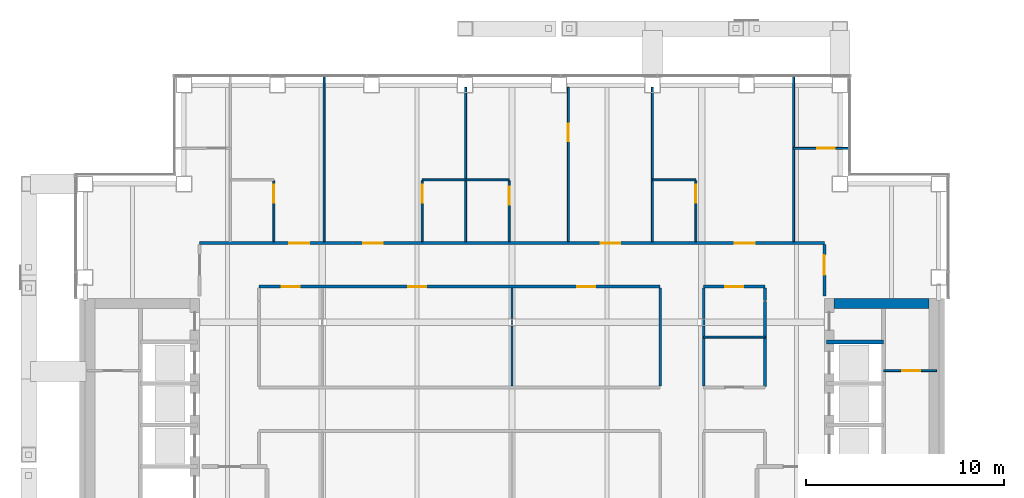
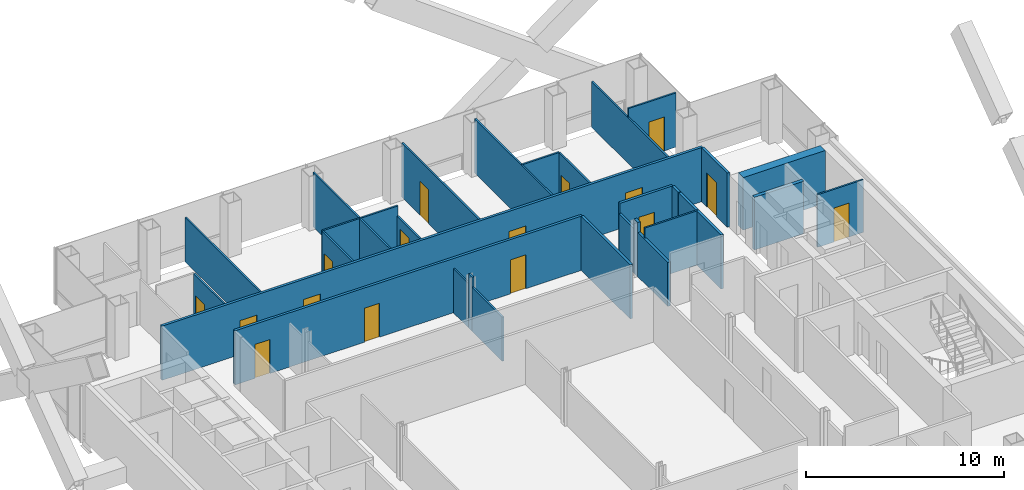
# One storey, part 13 of 16: 30 walls, 16 doors, 16 openings.
"""IFC4 building model written with IfcOpenShell, lengths in metres."""

from ifc_helpers import new_model, si_unit, direction, frame, frame_2d, origin, place, context, subcontext, project, spatial, rectangle, extrude, material, layer, layer_set, type_object, element, fill, save


model = new_model("IFC4")

# Units and contexts
model_context = context("Model", 3, precision=1e-05, world=origin(), true_north=direction((0.0, 1.0)))
body_context = subcontext(model_context, "Body", "Model", "MODEL_VIEW")
ifc_project = project(units=[si_unit("LENGTHUNIT", "METRE"), si_unit("AREAUNIT", "SQUARE_METRE"), si_unit("VOLUMEUNIT", "CUBIC_METRE"), si_unit("PLANEANGLEUNIT", "RADIAN"), si_unit("MASSUNIT", "GRAM", prefix="KILO")], contexts=[model_context])

# Site, building, storey
site_placement = place(None, origin())
site = spatial("IfcSite", under=ifc_project, at=site_placement, CompositionType="ELEMENT")
building_placement = place(site_placement, origin())
building = spatial("IfcBuilding", under=site, at=building_placement, Name="Cobrizo Arcos Hotel Tower", CompositionType="ELEMENT")
storey_placement = place(building_placement, frame((0.0, 0.0, 172.5)))
storey = spatial("IfcBuildingStorey", under=building, at=storey_placement, Name="L44", CompositionType="ELEMENT", Elevation=172.5)

# Wall, openings, doors
ifc_material_1 = material(Name="Gypsum board partition")
ifc_layer_1 = layer(ifc_material_1, 0.14990234375)
ifc_layer_set_1 = layer_set([ifc_layer_1], Name="Corridor wall EI 60 150")
wall_type_1 = type_object("IfcWallType", Name="Corridor wall EI 60 150", PredefinedType="PARTITIONING", material=ifc_layer_set_1)
wall_1_placement = place(storey_placement, frame((-12.800048828125, 11.39990234375, 0.0), z_axis=(0.0, 0.0, 1.0), x_axis=(1.0, 0.0, 0.0)))
wall_1 = element("IfcWall", 1, at=wall_1_placement, inside=storey, type_object=wall_type_1, Name="Partition 035", PredefinedType="PARTITIONING", context=body_context, shape_type="SweptSolid", body=[
    extrude(rectangle(XDim=20.300048828125, YDim=0.14990234375, at=frame_2d((10.14990234375, 0.0))), origin(), (0.0, 0.0, 1.0), 3.35009765625),
])
opening_1_placement = place(wall_1_placement, frame((1.14990234375, 0.0, 0.0)))
opening_1 = element("IfcOpeningElement", 2, at=opening_1_placement, cuts=wall_1, Name="Opening RD-09", PredefinedType="OPENING", context=body_context, shape_type="SweptSolid", body=[
    extrude(rectangle(XDim=0.89990234375, YDim=2.10009765625, at=frame_2d((0.449951171875, 1.050048828125))), frame((0.0, 0.0869140625, 0.0), z_axis=(0.0, -1.0, 0.0), x_axis=(1.0, 0.0, 0.0)), (0.0, 0.0, 1.0), 0.173828125),
])
opening_2_placement = place(wall_1_placement, frame((16.10009765625, 0.0, 0.0)))
opening_2 = element("IfcOpeningElement", 3, at=opening_2_placement, cuts=wall_1, Name="Opening RD-10", PredefinedType="OPENING", context=body_context, shape_type="SweptSolid", body=[
    extrude(rectangle(XDim=0.89990234375, YDim=2.10009765625, at=frame_2d((0.449951171875, 1.050048828125))), frame((0.0, 0.0869140625, 0.0), z_axis=(0.0, -1.0, 0.0), x_axis=(1.0, 0.0, 0.0)), (0.0, 0.0, 1.0), 0.173828125),
])
opening_3_placement = place(wall_1_placement, frame((7.550048828125, 0.0, 0.0)))
opening_3 = element("IfcOpeningElement", 4, at=opening_3_placement, cuts=wall_1, Name="Opening RD-13", PredefinedType="OPENING", context=body_context, shape_type="SweptSolid", body=[
    extrude(rectangle(XDim=0.89990234375, YDim=2.10009765625, at=frame_2d((0.449951171875, 1.050048828125))), frame((0.0, 0.0869140625, 0.0), z_axis=(0.0, -1.0, 0.0), x_axis=(1.0, 0.0, 0.0)), (0.0, 0.0, 1.0), 0.173828125),
])
ifc_material_2 = material(Name="Timber door leaf", Category="wood")
door_type_1 = type_object("IfcDoorType", Name="Room door FD30 900x2100", OperationType="SINGLE_SWING_LEFT", PredefinedType="DOOR", material=ifc_material_2)
door_1_placement = place(opening_1_placement, origin())
door_1 = element("IfcDoor", 5, at=door_1_placement, inside=storey, type_object=door_type_1, Name="Door RD-09", OperationType="SINGLE_SWING_RIGHT", OverallHeight=2.10009765625, OverallWidth=0.89990234375, PredefinedType="DOOR", context=body_context, shape_type="SweptSolid", body=[
    extrude(rectangle(XDim=0.89990234375, YDim=2.10009765625, at=frame_2d((0.449951171875, 1.050048828125))), frame((0.0, 0.02490234375, 0.0), z_axis=(0.0, -1.0, 0.0), x_axis=(1.0, 0.0, 0.0)), (0.0, 0.0, 1.0), 0.050048828125),
])
fill(opening_1, door_1)
door_2_placement = place(opening_2_placement, origin())
door_2 = element("IfcDoor", 6, at=door_2_placement, inside=storey, type_object=door_type_1, Name="Door RD-10", OperationType="SINGLE_SWING_RIGHT", OverallHeight=2.10009765625, OverallWidth=0.89990234375, PredefinedType="DOOR", context=body_context, shape_type="SweptSolid", body=[
    extrude(rectangle(XDim=0.89990234375, YDim=2.10009765625, at=frame_2d((0.449951171875, 1.050048828125))), frame((0.0, 0.02490234375, 0.0), z_axis=(0.0, -1.0, 0.0), x_axis=(1.0, 0.0, 0.0)), (0.0, 0.0, 1.0), 0.050048828125),
])
fill(opening_2, door_2)
door_3_placement = place(opening_3_placement, origin())
door_3 = element("IfcDoor", 7, at=door_3_placement, inside=storey, type_object=door_type_1, Name="Door RD-13", OperationType="SINGLE_SWING_RIGHT", OverallHeight=2.10009765625, OverallWidth=0.89990234375, PredefinedType="DOOR", context=body_context, shape_type="SweptSolid", body=[
    extrude(rectangle(XDim=0.89990234375, YDim=2.10009765625, at=frame_2d((0.449951171875, 1.050048828125))), frame((0.0, 0.02490234375, 0.0), z_axis=(0.0, -1.0, 0.0), x_axis=(1.0, 0.0, 0.0)), (0.0, 0.0, 1.0), 0.050048828125),
])
fill(opening_3, door_3)

# Wall, opening, door
wall_2_placement = place(storey_placement, frame((9.699951171875, 11.39990234375, 0.0), z_axis=(0.0, 0.0, 1.0), x_axis=(1.0, 0.0, 0.0)))
wall_2 = element("IfcWall", 8, at=wall_2_placement, inside=storey, type_object=wall_type_1, Name="Partition 036", PredefinedType="PARTITIONING", context=body_context, shape_type="SweptSolid", body=[
    extrude(rectangle(XDim=3.10009765625, YDim=0.14990234375, at=frame_2d((1.550048828125, 0.0))), origin(), (0.0, 0.0, 1.0), 3.35009765625),
])
opening_4_placement = place(wall_2_placement, frame((1.10009765625, 0.0, 0.0)))
opening_4 = element("IfcOpeningElement", 9, at=opening_4_placement, cuts=wall_2, Name="Opening ED-14", PredefinedType="OPENING", context=body_context, shape_type="SweptSolid", body=[
    extrude(rectangle(XDim=0.89990234375, YDim=2.10009765625, at=frame_2d((0.449951171875, 1.050048828125))), frame((0.0, 0.0869140625, 0.0), z_axis=(0.0, -1.0, 0.0), x_axis=(1.0, 0.0, 0.0)), (0.0, 0.0, 1.0), 0.173828125),
])
door_type_2 = type_object("IfcDoorType", Name="En-suite door 900x2100", OperationType="SINGLE_SWING_LEFT", PredefinedType="DOOR", material=ifc_material_2)
door_4_placement = place(opening_4_placement, origin())
door_4 = element("IfcDoor", 10, at=door_4_placement, inside=storey, type_object=door_type_2, Name="Door ED-14", OperationType="SINGLE_SWING_RIGHT", OverallHeight=2.10009765625, OverallWidth=0.89990234375, PredefinedType="DOOR", context=body_context, shape_type="SweptSolid", body=[
    extrude(rectangle(XDim=0.89990234375, YDim=2.10009765625, at=frame_2d((0.449951171875, 1.050048828125))), frame((0.0, 0.02490234375, 0.0), z_axis=(0.0, -1.0, 0.0), x_axis=(1.0, 0.0, 0.0)), (0.0, 0.0, 1.0), 0.050048828125),
])
fill(opening_4, door_4)

# Wall, openings, doors
wall_3_placement = place(storey_placement, frame((-15.800048828125, 13.60009765625, 0.0), z_axis=(0.0, 0.0, 1.0), x_axis=(1.0, 0.0, 0.0)))
wall_3 = element("IfcWall", 11, at=wall_3_placement, inside=storey, type_object=wall_type_1, Name="Partition 037", PredefinedType="PARTITIONING", context=body_context, shape_type="SweptSolid", body=[
    extrude(rectangle(XDim=31.60009765625, YDim=0.14990234375, at=frame_2d((15.800048828125, 0.0))), origin(), (0.0, 0.0, 1.0), 3.35009765625),
])
opening_5_placement = place(wall_3_placement, frame((4.54296875, 0.0, 0.0)))
opening_5 = element("IfcOpeningElement", 12, at=opening_5_placement, cuts=wall_3, Name="Opening GD-01", PredefinedType="OPENING", context=body_context, shape_type="SweptSolid", body=[
    extrude(rectangle(XDim=1.0, YDim=2.10009765625, at=frame_2d((0.5, 1.050048828125))), frame((0.0, 0.0869140625, 0.0), z_axis=(0.0, -1.0, 0.0), x_axis=(1.0, 0.0, 0.0)), (0.0, 0.0, 1.0), 0.173828125),
])
opening_6_placement = place(wall_3_placement, frame((8.27099609375, 0.0, 0.0)))
opening_6 = element("IfcOpeningElement", 13, at=opening_6_placement, cuts=wall_3, Name="Opening GD-02", PredefinedType="OPENING", context=body_context, shape_type="SweptSolid", body=[
    extrude(rectangle(XDim=1.0, YDim=2.10009765625, at=frame_2d((0.5, 1.050048828125))), frame((0.0, 0.0869140625, 0.0), z_axis=(0.0, -1.0, 0.0), x_axis=(1.0, 0.0, 0.0)), (0.0, 0.0, 1.0), 0.173828125),
])
opening_7_placement = place(wall_3_placement, frame((20.280029296875, 0.0, 0.0)))
opening_7 = element("IfcOpeningElement", 14, at=opening_7_placement, cuts=wall_3, Name="Opening GD-03", PredefinedType="OPENING", context=body_context, shape_type="SweptSolid", body=[
    extrude(rectangle(XDim=1.0, YDim=2.10009765625, at=frame_2d((0.5, 1.050048828125))), frame((0.0, 0.0869140625, 0.0), z_axis=(0.0, -1.0, 0.0), x_axis=(1.0, 0.0, 0.0)), (0.0, 0.0, 1.0), 0.173828125),
])
opening_8_placement = place(wall_3_placement, frame((27.072021484375, 0.0, 0.0)))
opening_8 = element("IfcOpeningElement", 15, at=opening_8_placement, cuts=wall_3, Name="Opening GD-04", PredefinedType="OPENING", context=body_context, shape_type="SweptSolid", body=[
    extrude(rectangle(XDim=1.0, YDim=2.10009765625, at=frame_2d((0.5, 1.050048828125))), frame((0.0, 0.0869140625, 0.0), z_axis=(0.0, -1.0, 0.0), x_axis=(1.0, 0.0, 0.0)), (0.0, 0.0, 1.0), 0.173828125),
])
door_type_3 = type_object("IfcDoorType", Name="Guest room door FD30S 1000x2100", OperationType="SINGLE_SWING_LEFT", PredefinedType="DOOR", material=ifc_material_2)
door_5_placement = place(opening_5_placement, origin())
door_5 = element("IfcDoor", 16, at=door_5_placement, inside=storey, type_object=door_type_3, Name="Door GD-01", OperationType="SINGLE_SWING_RIGHT", OverallHeight=2.10009765625, OverallWidth=1.0, PredefinedType="DOOR", context=body_context, shape_type="SweptSolid", body=[
    extrude(rectangle(XDim=1.0, YDim=2.10009765625, at=frame_2d((0.5, 1.050048828125))), frame((0.0, 0.02490234375, 0.0), z_axis=(0.0, -1.0, 0.0), x_axis=(1.0, 0.0, 0.0)), (0.0, 0.0, 1.0), 0.050048828125),
])
fill(opening_5, door_5)
door_6_placement = place(opening_6_placement, origin())
door_6 = element("IfcDoor", 17, at=door_6_placement, inside=storey, type_object=door_type_3, Name="Door GD-02", OperationType="SINGLE_SWING_RIGHT", OverallHeight=2.10009765625, OverallWidth=1.0, PredefinedType="DOOR", context=body_context, shape_type="SweptSolid", body=[
    extrude(rectangle(XDim=1.0, YDim=2.10009765625, at=frame_2d((0.5, 1.050048828125))), frame((0.0, 0.02490234375, 0.0), z_axis=(0.0, -1.0, 0.0), x_axis=(1.0, 0.0, 0.0)), (0.0, 0.0, 1.0), 0.050048828125),
])
fill(opening_6, door_6)
door_7_placement = place(opening_7_placement, origin())
door_7 = element("IfcDoor", 18, at=door_7_placement, inside=storey, type_object=door_type_3, Name="Door GD-03", OperationType="SINGLE_SWING_RIGHT", OverallHeight=2.10009765625, OverallWidth=1.0, PredefinedType="DOOR", context=body_context, shape_type="SweptSolid", body=[
    extrude(rectangle(XDim=1.0, YDim=2.10009765625, at=frame_2d((0.5, 1.050048828125))), frame((0.0, 0.02490234375, 0.0), z_axis=(0.0, -1.0, 0.0), x_axis=(1.0, 0.0, 0.0)), (0.0, 0.0, 1.0), 0.050048828125),
])
fill(opening_7, door_7)
door_8_placement = place(opening_8_placement, origin())
door_8 = element("IfcDoor", 19, at=door_8_placement, inside=storey, type_object=door_type_3, Name="Door GD-04", OperationType="SINGLE_SWING_RIGHT", OverallHeight=2.10009765625, OverallWidth=1.0, PredefinedType="DOOR", context=body_context, shape_type="SweptSolid", body=[
    extrude(rectangle(XDim=1.0, YDim=2.10009765625, at=frame_2d((0.5, 1.050048828125))), frame((0.0, 0.02490234375, 0.0), z_axis=(0.0, -1.0, 0.0), x_axis=(1.0, 0.0, 0.0)), (0.0, 0.0, 1.0), 0.050048828125),
])
fill(opening_8, door_8)

# Walls
wall_4_placement = place(storey_placement, frame((7.5, 6.375, 0.0), z_axis=(0.0, 0.0, 1.0), x_axis=(0.0, 1.0, 0.0)))
element("IfcWall", 20, at=wall_4_placement, inside=storey, type_object=wall_type_1, Name="Partition 087", PredefinedType="PARTITIONING", context=body_context, shape_type="SweptSolid", body=[
    extrude(rectangle(XDim=4.949951171875, YDim=0.14990234375, at=frame_2d((2.47509765625, 0.0))), origin(), (0.0, 0.0, 1.0), 3.35009765625),
])
wall_5_placement = place(storey_placement, frame((9.699951171875, 6.375, 0.0), z_axis=(0.0, 0.0, 1.0), x_axis=(0.0, 1.0, 0.0)))
element("IfcWall", 21, at=wall_5_placement, inside=storey, type_object=wall_type_1, Name="Partition 094", PredefinedType="PARTITIONING", context=body_context, shape_type="SweptSolid", body=[
    extrude(rectangle(XDim=3.0380859375, YDim=0.14990234375, at=frame_2d((1.51904296875, 0.0))), origin(), (0.0, 0.0, 1.0), 2.72802734375),
])
wall_6_placement = place(storey_placement, frame((9.699951171875, 9.4130859375, 0.0), z_axis=(0.0, 0.0, 1.0), x_axis=(0.0, 1.0, 0.0)))
element("IfcWall", 22, at=wall_6_placement, inside=storey, type_object=wall_type_1, Name="Partition 095", PredefinedType="PARTITIONING", context=body_context, shape_type="SweptSolid", body=[
    extrude(rectangle(XDim=0.3740234375, YDim=0.14990234375, at=frame_2d((0.18701171875, 0.0))), origin(), (0.0, 0.0, 1.0), 3.35009765625),
])
wall_7_placement = place(storey_placement, frame((9.699951171875, 9.787109375, 0.0), z_axis=(0.0, 0.0, 1.0), x_axis=(0.0, 1.0, 0.0)))
element("IfcWall", 23, at=wall_7_placement, inside=storey, type_object=wall_type_1, Name="Partition 096", PredefinedType="PARTITIONING", context=body_context, shape_type="SweptSolid", body=[
    extrude(rectangle(XDim=1.537841796875, YDim=0.14990234375, at=frame_2d((0.76904296875, 0.0))), origin(), (0.0, 0.0, 1.0), 2.72802734375),
])
wall_8_placement = place(storey_placement, frame((12.800048828125, 6.35009765625, 0.0), z_axis=(0.0, 0.0, 1.0), x_axis=(0.0, 1.0, 0.0)))
element("IfcWall", 24, at=wall_8_placement, inside=storey, type_object=wall_type_1, Name="Partition 101", PredefinedType="PARTITIONING", context=body_context, shape_type="SweptSolid", body=[
    extrude(rectangle(XDim=4.2998046875, YDim=0.14990234375, at=frame_2d((2.14990234375, 0.0))), origin(), (0.0, 0.0, 1.0), 3.35009765625),
])
wall_9_placement = place(storey_placement, frame((12.800048828125, 10.699951171875, 0.0), z_axis=(0.0, 0.0, 1.0), x_axis=(0.0, 1.0, 0.0)))
element("IfcWall", 25, at=wall_9_placement, inside=storey, type_object=wall_type_1, Name="Partition 102", PredefinedType="PARTITIONING", context=body_context, shape_type="SweptSolid", body=[
    extrude(rectangle(XDim=0.625, YDim=0.14990234375, at=frame_2d((0.3125, 0.0))), origin(), (0.0, 0.0, 1.0), 3.35009765625),
])

# Wall, opening, door
wall_10_placement = place(storey_placement, frame((15.800048828125, 10.919921875, 0.0), z_axis=(0.0, 0.0, 1.0), x_axis=(0.0, 1.0, 0.0)))
wall_10 = element("IfcWall", 26, at=wall_10_placement, inside=storey, type_object=wall_type_1, Name="Partition 106", PredefinedType="PARTITIONING", context=body_context, shape_type="SweptSolid", body=[
    extrude(rectangle(XDim=2.60498046875, YDim=0.14990234375, at=frame_2d((1.302490234375, 0.0))), origin(), (0.0, 0.0, 1.0), 3.35009765625),
])
opening_9_placement = place(wall_10_placement, frame((1.080078125, 0.0, 0.0)))
opening_9 = element("IfcOpeningElement", 27, at=opening_9_placement, cuts=wall_10, Name="Opening GD-12", PredefinedType="OPENING", context=body_context, shape_type="SweptSolid", body=[
    extrude(rectangle(XDim=1.0, YDim=2.10009765625, at=frame_2d((0.5, 1.050048828125))), frame((0.0, 0.0869140625, 0.0), z_axis=(0.0, -1.0, 0.0), x_axis=(1.0, 0.0, 0.0)), (0.0, 0.0, 1.0), 0.173828125),
])
door_9_placement = place(opening_9_placement, origin())
door_9 = element("IfcDoor", 28, at=door_9_placement, inside=storey, type_object=door_type_3, Name="Door GD-12", OperationType="SINGLE_SWING_RIGHT", OverallHeight=2.10009765625, OverallWidth=1.0, PredefinedType="DOOR", context=body_context, shape_type="SweptSolid", body=[
    extrude(rectangle(XDim=1.0, YDim=2.10009765625, at=frame_2d((0.5, 1.050048828125))), frame((0.0, 0.02490234375, 0.0), z_axis=(0.0, -1.0, 0.0), x_axis=(1.0, 0.0, 0.0)), (0.0, 0.0, 1.0), 0.050048828125),
])
fill(opening_9, door_9)

ifc_layer_2 = layer(ifc_material_1, 0.10009765625)
ifc_layer_set_2 = layer_set([ifc_layer_2], Name="Partition EI 30 100")
wall_type_2 = type_object("IfcWallType", Name="Partition EI 30 100", PredefinedType="PARTITIONING", material=ifc_layer_set_2)
wall_11_placement = place(storey_placement, frame((18.800048828125, 7.14990234375, 0.0), z_axis=(0.0, 0.0, 1.0), x_axis=(1.0, 0.0, 0.0)))
wall_11 = element("IfcWall", 29, at=wall_11_placement, inside=storey, type_object=wall_type_2, Name="Partition 031", PredefinedType="PARTITIONING", context=body_context, shape_type="SweptSolid", body=[
    extrude(rectangle(XDim=2.679931640625, YDim=0.10009765625, at=frame_2d((1.33984375, 0.0))), origin(), (0.0, 0.0, 1.0), 3.25),
])
opening_10_placement = place(wall_11_placement, frame((0.949951171875, 0.0, 0.0)))
opening_10 = element("IfcOpeningElement", 30, at=opening_10_placement, cuts=wall_11, Name="Opening RD-06", PredefinedType="OPENING", context=body_context, shape_type="SweptSolid", body=[
    extrude(rectangle(XDim=0.89990234375, YDim=2.10009765625, at=frame_2d((0.449951171875, 1.050048828125))), frame((0.0, 0.06201171875, 0.0), z_axis=(0.0, -1.0, 0.0), x_axis=(1.0, 0.0, 0.0)), (0.0, 0.0, 1.0), 0.1240234375),
])
door_10_placement = place(opening_10_placement, origin())
door_10 = element("IfcDoor", 31, at=door_10_placement, inside=storey, type_object=door_type_1, Name="Door RD-06", OperationType="SINGLE_SWING_LEFT", OverallHeight=2.10009765625, OverallWidth=0.89990234375, PredefinedType="DOOR", context=body_context, shape_type="SweptSolid", body=[
    extrude(rectangle(XDim=0.89990234375, YDim=2.10009765625, at=frame_2d((0.449951171875, 1.050048828125))), frame((0.0, 0.02490234375, 0.0), z_axis=(0.0, -1.0, 0.0), x_axis=(1.0, 0.0, 0.0)), (0.0, 0.0, 1.0), 0.050048828125),
])
fill(opening_10, door_10)

# Walls
wall_12_placement = place(storey_placement, frame((9.699951171875, 8.85009765625, 0.0), z_axis=(0.0, 0.0, 1.0), x_axis=(1.0, 0.0, 0.0)))
element("IfcWall", 32, at=wall_12_placement, inside=storey, type_object=wall_type_2, Name="Partition 034", PredefinedType="PARTITIONING", context=body_context, shape_type="SweptSolid", body=[
    extrude(rectangle(XDim=3.10009765625, YDim=0.10009765625, at=frame_2d((1.550048828125, 0.0))), origin(), (0.0, 0.0, 1.0), 3.35009765625),
])
wall_13_placement = place(storey_placement, frame((-4.550048828125, 16.800048828125, 0.0), z_axis=(0.0, 0.0, 1.0), x_axis=(1.0, 0.0, 0.0)))
element("IfcWall", 33, at=wall_13_placement, inside=storey, type_object=wall_type_2, Name="Partition 039", PredefinedType="PARTITIONING", context=body_context, shape_type="SweptSolid", body=[
    extrude(rectangle(XDim=4.400146484375, YDim=0.10009765625, at=frame_2d((2.2001953125, 0.0))), origin(), (0.0, 0.0, 1.0), 3.35009765625),
])
wall_14_placement = place(storey_placement, frame((7.10009765625, 16.800048828125, 0.0), z_axis=(0.0, 0.0, 1.0), x_axis=(1.0, 0.0, 0.0)))
element("IfcWall", 34, at=wall_14_placement, inside=storey, type_object=wall_type_2, Name="Partition 040", PredefinedType="PARTITIONING", context=body_context, shape_type="SweptSolid", body=[
    extrude(rectangle(XDim=2.199951171875, YDim=0.10009765625, at=frame_2d((1.10009765625, 0.0))), origin(), (0.0, 0.0, 1.0), 3.35009765625),
])

# Wall, opening, door
wall_15_placement = place(storey_placement, frame((14.25, 18.39990234375, 0.0), z_axis=(0.0, 0.0, 1.0), x_axis=(1.0, 0.0, 0.0)))
wall_15 = element("IfcWall", 35, at=wall_15_placement, inside=storey, type_object=wall_type_2, Name="Partition 042", PredefinedType="PARTITIONING", context=body_context, shape_type="SweptSolid", body=[
    extrude(rectangle(XDim=2.780029296875, YDim=0.10009765625, at=frame_2d((1.39013671875, 0.0))), origin(), (0.0, 0.0, 1.0), 3.35009765625),
])
opening_11_placement = place(wall_15_placement, frame((1.18896484375, 0.0, 0.0)))
opening_11 = element("IfcOpeningElement", 36, at=opening_11_placement, cuts=wall_15, Name="Opening ED-12", PredefinedType="OPENING", context=body_context, shape_type="SweptSolid", body=[
    extrude(rectangle(XDim=0.89990234375, YDim=2.10009765625, at=frame_2d((0.449951171875, 1.050048828125))), frame((0.0, 0.06201171875, 0.0), z_axis=(0.0, -1.0, 0.0), x_axis=(1.0, 0.0, 0.0)), (0.0, 0.0, 1.0), 0.1240234375),
])
door_11_placement = place(opening_11_placement, origin())
door_11 = element("IfcDoor", 37, at=door_11_placement, inside=storey, type_object=door_type_2, Name="Door ED-12", OperationType="SINGLE_SWING_RIGHT", OverallHeight=2.10009765625, OverallWidth=0.89990234375, PredefinedType="DOOR", context=body_context, shape_type="SweptSolid", body=[
    extrude(rectangle(XDim=0.89990234375, YDim=2.10009765625, at=frame_2d((0.449951171875, 1.050048828125))), frame((0.0, 0.02490234375, 0.0), z_axis=(0.0, -1.0, 0.0), x_axis=(1.0, 0.0, 0.0)), (0.0, 0.0, 1.0), 0.050048828125),
])
fill(opening_11, door_11)

wall_16_placement = place(storey_placement, frame((-12.050048828125, 13.675048828125, 0.0), z_axis=(0.0, 0.0, 1.0), x_axis=(0.0, 1.0, 0.0)))
wall_16 = element("IfcWall", 38, at=wall_16_placement, inside=storey, type_object=wall_type_2, Name="Partition 056", PredefinedType="PARTITIONING", context=body_context, shape_type="SweptSolid", body=[
    extrude(rectangle(XDim=3.074951171875, YDim=0.10009765625, at=frame_2d((1.53759765625, 0.0))), origin(), (0.0, 0.0, 1.0), 3.35009765625),
])
opening_12_placement = place(wall_16_placement, frame((1.970947265625, 0.0, 0.0)))
opening_12 = element("IfcOpeningElement", 39, at=opening_12_placement, cuts=wall_16, Name="Opening ED-01", PredefinedType="OPENING", context=body_context, shape_type="SweptSolid", body=[
    extrude(rectangle(XDim=0.89990234375, YDim=2.10009765625, at=frame_2d((0.449951171875, 1.050048828125))), frame((0.0, 0.06201171875, 0.0), z_axis=(0.0, -1.0, 0.0), x_axis=(1.0, 0.0, 0.0)), (0.0, 0.0, 1.0), 0.1240234375),
])
door_12_placement = place(opening_12_placement, origin())
door_12 = element("IfcDoor", 40, at=door_12_placement, inside=storey, type_object=door_type_2, Name="Door ED-01", OperationType="SINGLE_SWING_RIGHT", OverallHeight=2.10009765625, OverallWidth=0.89990234375, PredefinedType="DOOR", context=body_context, shape_type="SweptSolid", body=[
    extrude(rectangle(XDim=0.89990234375, YDim=2.10009765625, at=frame_2d((0.449951171875, 1.050048828125))), frame((0.0, 0.02490234375, 0.0), z_axis=(0.0, -1.0, 0.0), x_axis=(1.0, 0.0, 0.0)), (0.0, 0.0, 1.0), 0.050048828125),
])
fill(opening_12, door_12)

# Wall
wall_17_placement = place(storey_placement, frame((-9.5, 13.675048828125, 0.0), z_axis=(0.0, 0.0, 1.0), x_axis=(0.0, 1.0, 0.0)))
element("IfcWall", 41, at=wall_17_placement, inside=storey, type_object=wall_type_2, Name="Partition 066", PredefinedType="PARTITIONING", context=body_context, shape_type="SweptSolid", body=[
    extrude(rectangle(XDim=8.35498046875, YDim=0.10009765625, at=frame_2d((4.177490234375, 0.0))), origin(), (0.0, 0.0, 1.0), 2.72802734375),
])

# Wall, opening, door
wall_18_placement = place(storey_placement, frame((-4.550048828125, 13.675048828125, 0.0), z_axis=(0.0, 0.0, 1.0), x_axis=(0.0, 1.0, 0.0)))
wall_18 = element("IfcWall", 42, at=wall_18_placement, inside=storey, type_object=wall_type_2, Name="Partition 068", PredefinedType="PARTITIONING", context=body_context, shape_type="SweptSolid", body=[
    extrude(rectangle(XDim=3.074951171875, YDim=0.10009765625, at=frame_2d((1.53759765625, 0.0))), origin(), (0.0, 0.0, 1.0), 3.35009765625),
])
opening_13_placement = place(wall_18_placement, frame((1.970947265625, 0.0, 0.0)))
opening_13 = element("IfcOpeningElement", 43, at=opening_13_placement, cuts=wall_18, Name="Opening ED-02", PredefinedType="OPENING", context=body_context, shape_type="SweptSolid", body=[
    extrude(rectangle(XDim=0.89990234375, YDim=2.10009765625, at=frame_2d((0.449951171875, 1.050048828125))), frame((0.0, 0.06201171875, 0.0), z_axis=(0.0, -1.0, 0.0), x_axis=(1.0, 0.0, 0.0)), (0.0, 0.0, 1.0), 0.1240234375),
])
door_13_placement = place(opening_13_placement, origin())
door_13 = element("IfcDoor", 44, at=door_13_placement, inside=storey, type_object=door_type_2, Name="Door ED-02", OperationType="SINGLE_SWING_RIGHT", OverallHeight=2.10009765625, OverallWidth=0.89990234375, PredefinedType="DOOR", context=body_context, shape_type="SweptSolid", body=[
    extrude(rectangle(XDim=0.89990234375, YDim=2.10009765625, at=frame_2d((0.449951171875, 1.050048828125))), frame((0.0, 0.02490234375, 0.0), z_axis=(0.0, -1.0, 0.0), x_axis=(1.0, 0.0, 0.0)), (0.0, 0.0, 1.0), 0.050048828125),
])
fill(opening_13, door_13)

# Walls
wall_19_placement = place(storey_placement, frame((-2.35009765625, 13.675048828125, 0.0), z_axis=(0.0, 0.0, 1.0), x_axis=(0.0, 1.0, 0.0)))
element("IfcWall", 45, at=wall_19_placement, inside=storey, type_object=wall_type_2, Name="Partition 069", PredefinedType="PARTITIONING", context=body_context, shape_type="SweptSolid", body=[
    extrude(rectangle(XDim=3.074951171875, YDim=0.10009765625, at=frame_2d((1.53759765625, 0.0))), origin(), (0.0, 0.0, 1.0), 3.35009765625),
])
wall_20_placement = place(storey_placement, frame((-2.35009765625, 16.85009765625, 0.0), z_axis=(0.0, 0.0, 1.0), x_axis=(0.0, 1.0, 0.0)))
element("IfcWall", 46, at=wall_20_placement, inside=storey, type_object=wall_type_2, Name="Partition 070", PredefinedType="PARTITIONING", context=body_context, shape_type="SweptSolid", body=[
    extrude(rectangle(XDim=4.6298828125, YDim=0.10009765625, at=frame_2d((2.31494140625, 0.0))), origin(), (0.0, 0.0, 1.0), 3.35009765625),
])

# Wall, opening, door
wall_21_placement = place(storey_placement, frame((-0.14990234375, 13.675048828125, 0.0), z_axis=(0.0, 0.0, 1.0), x_axis=(0.0, 1.0, 0.0)))
wall_21 = element("IfcWall", 47, at=wall_21_placement, inside=storey, type_object=wall_type_2, Name="Partition 072", PredefinedType="PARTITIONING", context=body_context, shape_type="SweptSolid", body=[
    extrude(rectangle(XDim=3.074951171875, YDim=0.10009765625, at=frame_2d((1.53759765625, 0.0))), origin(), (0.0, 0.0, 1.0), 2.72802734375),
])
opening_14_placement = place(wall_21_placement, frame((1.875, 0.0, 0.0)))
opening_14 = element("IfcOpeningElement", 48, at=opening_14_placement, cuts=wall_21, Name="Opening ED-03", PredefinedType="OPENING", context=body_context, shape_type="SweptSolid", body=[
    extrude(rectangle(XDim=0.89990234375, YDim=2.10009765625, at=frame_2d((0.449951171875, 1.050048828125))), frame((0.0, 0.06201171875, 0.0), z_axis=(0.0, -1.0, 0.0), x_axis=(1.0, 0.0, 0.0)), (0.0, 0.0, 1.0), 0.1240234375),
])
door_14_placement = place(opening_14_placement, origin())
door_14 = element("IfcDoor", 49, at=door_14_placement, inside=storey, type_object=door_type_2, Name="Door ED-03", OperationType="SINGLE_SWING_LEFT", OverallHeight=2.10009765625, OverallWidth=0.89990234375, PredefinedType="DOOR", context=body_context, shape_type="SweptSolid", body=[
    extrude(rectangle(XDim=0.89990234375, YDim=2.10009765625, at=frame_2d((0.449951171875, 1.050048828125))), frame((0.0, 0.02490234375, 0.0), z_axis=(0.0, -1.0, 0.0), x_axis=(1.0, 0.0, 0.0)), (0.0, 0.0, 1.0), 0.050048828125),
])
fill(opening_14, door_14)

# Walls
wall_22_placement = place(storey_placement, frame((0.0, 6.375, 0.0), z_axis=(0.0, 0.0, 1.0), x_axis=(0.0, 1.0, 0.0)))
element("IfcWall", 50, at=wall_22_placement, inside=storey, type_object=wall_type_2, Name="Partition 079", PredefinedType="PARTITIONING", context=body_context, shape_type="SweptSolid", body=[
    extrude(rectangle(XDim=3.0380859375, YDim=0.10009765625, at=frame_2d((1.51904296875, 0.0))), origin(), (0.0, 0.0, 1.0), 2.72802734375),
])
wall_23_placement = place(storey_placement, frame((0.0, 9.4130859375, 0.0), z_axis=(0.0, 0.0, 1.0), x_axis=(0.0, 1.0, 0.0)))
element("IfcWall", 51, at=wall_23_placement, inside=storey, type_object=wall_type_2, Name="Partition 080", PredefinedType="PARTITIONING", context=body_context, shape_type="SweptSolid", body=[
    extrude(rectangle(XDim=0.3740234375, YDim=0.10009765625, at=frame_2d((0.18701171875, 0.0))), origin(), (0.0, 0.0, 1.0), 3.35009765625),
])
wall_24_placement = place(storey_placement, frame((0.0, 9.787109375, 0.0), z_axis=(0.0, 0.0, 1.0), x_axis=(0.0, 1.0, 0.0)))
element("IfcWall", 52, at=wall_24_placement, inside=storey, type_object=wall_type_2, Name="Partition 081", PredefinedType="PARTITIONING", context=body_context, shape_type="SweptSolid", body=[
    extrude(rectangle(XDim=1.537841796875, YDim=0.10009765625, at=frame_2d((0.76904296875, 0.0))), origin(), (0.0, 0.0, 1.0), 2.72802734375),
])

# Wall, opening, door
wall_25_placement = place(storey_placement, frame((2.85009765625, 13.675048828125, 0.0), z_axis=(0.0, 0.0, 1.0), x_axis=(0.0, 1.0, 0.0)))
wall_25 = element("IfcWall", 53, at=wall_25_placement, inside=storey, type_object=wall_type_2, Name="Partition 082", PredefinedType="PARTITIONING", context=body_context, shape_type="SweptSolid", body=[
    extrude(rectangle(XDim=7.804931640625, YDim=0.10009765625, at=frame_2d((3.90234375, 0.0))), origin(), (0.0, 0.0, 1.0), 3.35009765625),
])
opening_15_placement = place(wall_25_placement, frame((5.074951171875, 0.0, 0.0)))
opening_15 = element("IfcOpeningElement", 54, at=opening_15_placement, cuts=wall_25, Name="Opening RD-07", PredefinedType="OPENING", context=body_context, shape_type="SweptSolid", body=[
    extrude(rectangle(XDim=0.89990234375, YDim=2.10009765625, at=frame_2d((0.449951171875, 1.050048828125))), frame((0.0, 0.06201171875, 0.0), z_axis=(0.0, -1.0, 0.0), x_axis=(1.0, 0.0, 0.0)), (0.0, 0.0, 1.0), 0.1240234375),
])
door_15_placement = place(opening_15_placement, origin())
door_15 = element("IfcDoor", 55, at=door_15_placement, inside=storey, type_object=door_type_1, Name="Door RD-07", OperationType="SINGLE_SWING_LEFT", OverallHeight=2.10009765625, OverallWidth=0.89990234375, PredefinedType="DOOR", context=body_context, shape_type="SweptSolid", body=[
    extrude(rectangle(XDim=0.89990234375, YDim=2.10009765625, at=frame_2d((0.449951171875, 1.050048828125))), frame((0.0, 0.02490234375, 0.0), z_axis=(0.0, -1.0, 0.0), x_axis=(1.0, 0.0, 0.0)), (0.0, 0.0, 1.0), 0.050048828125),
])
fill(opening_15, door_15)

# Wall
wall_26_placement = place(storey_placement, frame((7.10009765625, 13.675048828125, 0.0), z_axis=(0.0, 0.0, 1.0), x_axis=(0.0, 1.0, 0.0)))
element("IfcWall", 56, at=wall_26_placement, inside=storey, type_object=wall_type_2, Name="Partition 085", PredefinedType="PARTITIONING", context=body_context, shape_type="SweptSolid", body=[
    extrude(rectangle(XDim=7.804931640625, YDim=0.10009765625, at=frame_2d((3.90234375, 0.0))), origin(), (0.0, 0.0, 1.0), 3.35009765625),
])

# Wall, opening, door
wall_27_placement = place(storey_placement, frame((9.300048828125, 13.675048828125, 0.0), z_axis=(0.0, 0.0, 1.0), x_axis=(0.0, 1.0, 0.0)))
wall_27 = element("IfcWall", 57, at=wall_27_placement, inside=storey, type_object=wall_type_2, Name="Partition 088", PredefinedType="PARTITIONING", context=body_context, shape_type="SweptSolid", body=[
    extrude(rectangle(XDim=3.074951171875, YDim=0.10009765625, at=frame_2d((1.53759765625, 0.0))), origin(), (0.0, 0.0, 1.0), 3.35009765625),
])
opening_16_placement = place(wall_27_placement, frame((1.970947265625, 0.0, 0.0)))
opening_16 = element("IfcOpeningElement", 58, at=opening_16_placement, cuts=wall_27, Name="Opening ED-04", PredefinedType="OPENING", context=body_context, shape_type="SweptSolid", body=[
    extrude(rectangle(XDim=0.89990234375, YDim=2.10009765625, at=frame_2d((0.449951171875, 1.050048828125))), frame((0.0, 0.06201171875, 0.0), z_axis=(0.0, -1.0, 0.0), x_axis=(1.0, 0.0, 0.0)), (0.0, 0.0, 1.0), 0.1240234375),
])
door_16_placement = place(opening_16_placement, origin())
door_16 = element("IfcDoor", 59, at=door_16_placement, inside=storey, type_object=door_type_2, Name="Door ED-04", OperationType="SINGLE_SWING_LEFT", OverallHeight=2.10009765625, OverallWidth=0.89990234375, PredefinedType="DOOR", context=body_context, shape_type="SweptSolid", body=[
    extrude(rectangle(XDim=0.89990234375, YDim=2.10009765625, at=frame_2d((0.449951171875, 1.050048828125))), frame((0.0, 0.02490234375, 0.0), z_axis=(0.0, -1.0, 0.0), x_axis=(1.0, 0.0, 0.0)), (0.0, 0.0, 1.0), 0.050048828125),
])
fill(opening_16, door_16)

# Walls
wall_28_placement = place(storey_placement, frame((14.25, 13.675048828125, 0.0), z_axis=(0.0, 0.0, 1.0), x_axis=(0.0, 1.0, 0.0)))
element("IfcWall", 60, at=wall_28_placement, inside=storey, type_object=wall_type_2, Name="Partition 104", PredefinedType="PARTITIONING", context=body_context, shape_type="SweptSolid", body=[
    extrude(rectangle(XDim=8.35498046875, YDim=0.10009765625, at=frame_2d((4.177490234375, 0.0))), origin(), (0.0, 0.0, 1.0), 2.81689453125),
])
ifc_material_3 = material(Name="Concrete f'c 50 MPa", Category="concrete")
ifc_layer_3 = layer(ifc_material_3, 0.5)
ifc_layer_set_3 = layer_set([ifc_layer_3], Name="RC core wall 500 f'c 50")
wall_type_3 = type_object("IfcWallType", Name="RC core wall 500 f'c 50", PredefinedType="SHEAR", material=ifc_layer_set_3)
wall_29_placement = place(storey_placement, frame((16.300048828125, 10.550048828125, 0.0), z_axis=(0.0, 0.0, 1.0), x_axis=(1.0, 0.0, 0.0)))
element("IfcWall", 61, at=wall_29_placement, inside=storey, type_object=wall_type_3, Name="Core wall CW3, east core, north end, L44", PredefinedType="SHEAR", context=body_context, shape_type="SweptSolid", body=[
    extrude(rectangle(XDim=4.800048828125, YDim=0.5, at=frame_2d((2.39990234375, 0.0))), origin(), (0.0, 0.0, 1.0), 3.25),
])
ifc_layer_4 = layer(ifc_material_1, 0.199951171875)
ifc_layer_set_4 = layer_set([ifc_layer_4], Name="Shaft wall EI 120 200")
wall_type_4 = type_object("IfcWallType", Name="Shaft wall EI 120 200", PredefinedType="PARTITIONING", material=ifc_layer_set_4)
wall_30_placement = place(storey_placement, frame((15.919921875, 8.60009765625, 0.0), z_axis=(0.0, 0.0, 1.0), x_axis=(1.0, 0.0, 0.0)))
element("IfcWall", 62, at=wall_30_placement, inside=storey, type_object=wall_type_4, Name="Partition 033", PredefinedType="PARTITIONING", context=body_context, shape_type="SweptSolid", body=[
    extrude(rectangle(XDim=2.880126953125, YDim=0.199951171875, at=frame_2d((1.43994140625, 0.0))), origin(), (0.0, 0.0, 1.0), 3.25),
])

save(model, "model.ifc")
